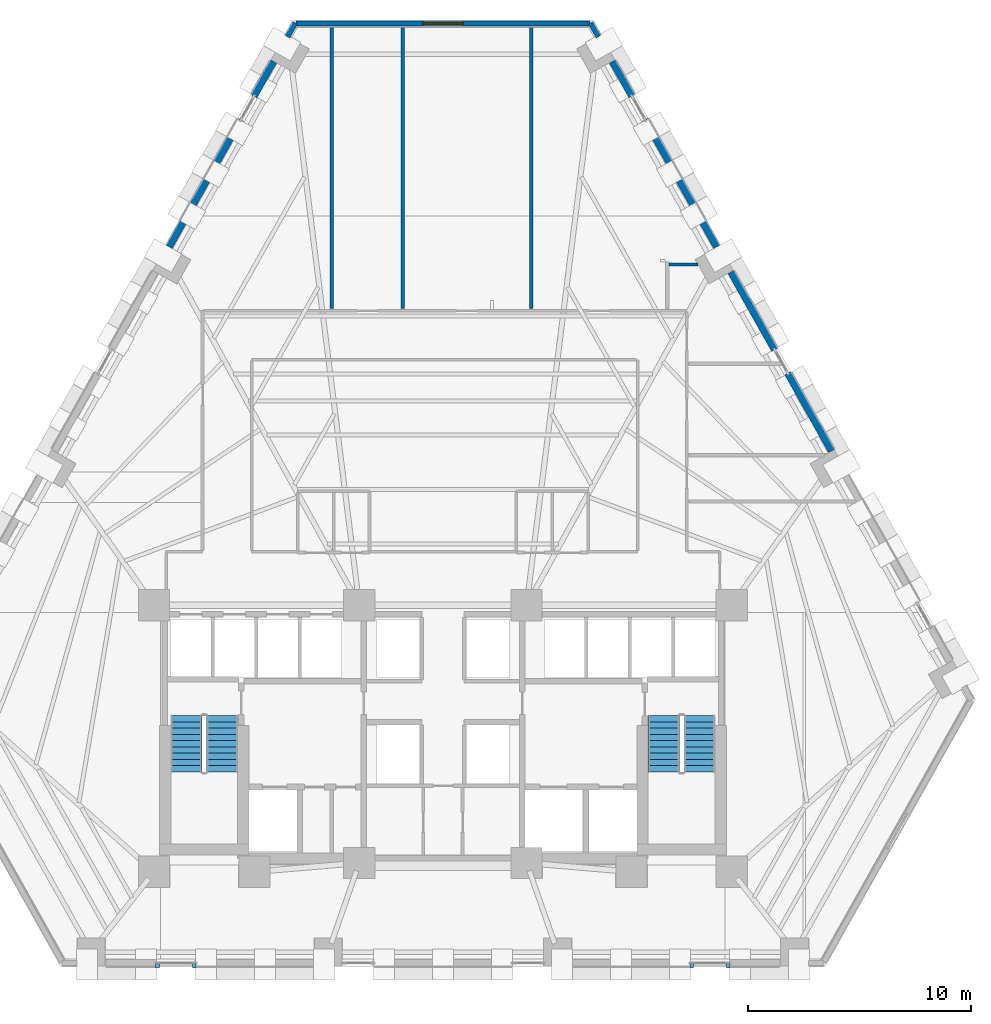
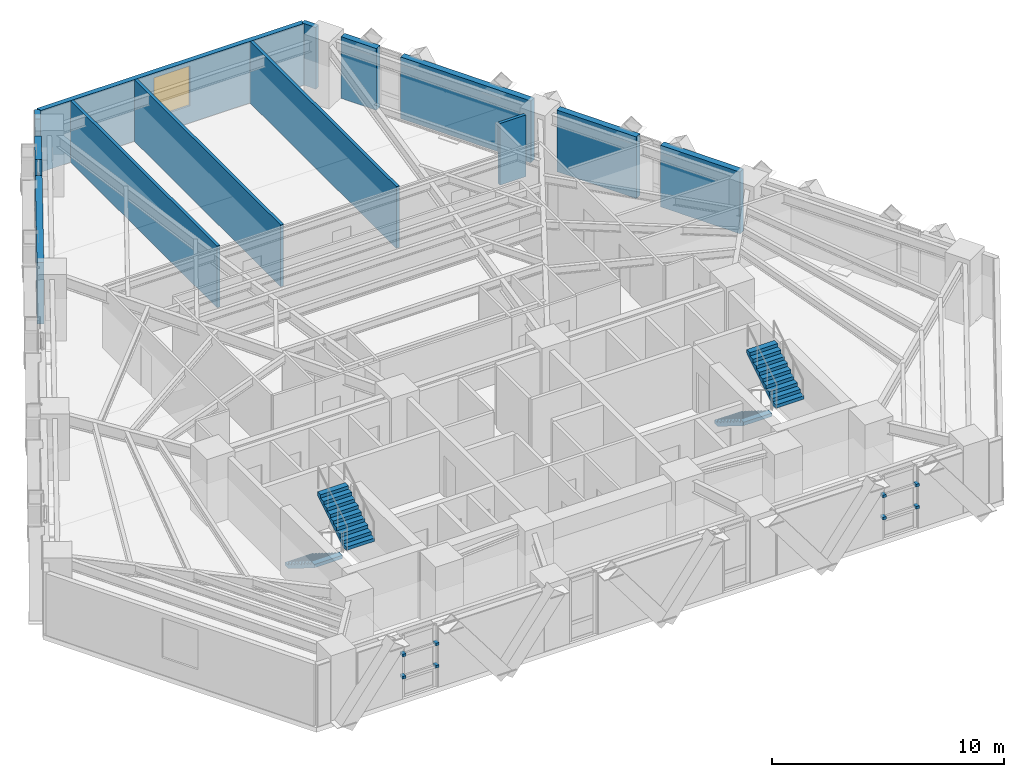
# One storey, part 9 of 13: 13 walls, 8 discrete accessories, 4 stair flights, 1 window, 1 opening, 2 elements without a shape of their own.
"""IFC4 building model written with IfcOpenShell, lengths in metres."""

from ifc_helpers import new_model, si_unit, direction, frame, frame_2d, origin, origin_2d, place, context, subcontext, project, spatial, polyline, rectangle, outline, extrude, material, layer, layer_set, type_object, element, fill, aggregate, save


model = new_model("IFC4")

# Units and contexts
model_context = context("Model", 3, precision=1e-05, world=origin(), true_north=direction((0.0, 1.0)))
body_context = subcontext(model_context, "Body", "Model", "MODEL_VIEW")
ifc_project = project(units=[si_unit("LENGTHUNIT", "METRE"), si_unit("AREAUNIT", "SQUARE_METRE"), si_unit("VOLUMEUNIT", "CUBIC_METRE"), si_unit("PLANEANGLEUNIT", "RADIAN"), si_unit("MASSUNIT", "GRAM", prefix="KILO")], contexts=[model_context])

# Site, building, storey
site_placement = place(None, origin())
site = spatial("IfcSite", under=ifc_project, at=site_placement, CompositionType="ELEMENT")
building_placement = place(site_placement, origin())
building = spatial("IfcBuilding", under=site, at=building_placement, Name="Quenlor Broadcast Tower", CompositionType="ELEMENT")
storey_placement = place(building_placement, frame((0.0, 0.0, 38.10009765625)))
storey = spatial("IfcBuildingStorey", under=building, at=storey_placement, Name="L09", CompositionType="ELEMENT", Elevation=38.10009765625)

# Walls
ifc_material_1 = material(Name="Acoustic Double Stud Gypsum Partition", Category="other")
ifc_layer_1 = layer(ifc_material_1, 0.14990234375)
ifc_layer_set_1 = layer_set([ifc_layer_1], Name="Broadcast Studio Acoustic Partition 150")
wall_type_1 = type_object("IfcWallType", Name="Broadcast Studio Acoustic Partition 150", PredefinedType="PARTITIONING", material=ifc_layer_set_1)
for number, where, z_axis, x_axis, name in (
    (1, (-1.805908203125, 21.14990234375, 0.0), (0.0, 0.0, 1.0), (0.0, -1.0, 0.0), "L09 Interior Wall PW-DV-01"),
    (2, (-4.97998046875, 8.510009765625, 0.0), (0.0, 0.0, 1.0), (0.0, 1.0, 0.0), "L09 Interior Wall PW-DV-02"),
    (3, (3.9599609375, 21.14990234375, 0.0), (0.0, 0.0, 1.0), (0.0, -1.0, 0.0), "L09 Interior Wall PW-DV-03"),
):
    element("IfcWall", number, at=place(storey_placement, frame(where, z_axis=z_axis, x_axis=x_axis)), inside=storey, type_object=wall_type_1, Name=name, PredefinedType="PARTITIONING", context=body_context, shape_type="SweptSolid", body=[
        extrude(rectangle(XDim=12.639892578125, YDim=0.14990234375, at=frame_2d((6.31982421875, 0.0))), origin(), (0.0, 0.0, 1.0), 3.25),
    ])
wall_1_placement = place(storey_placement, frame((11.43212890625, 10.471435546875, 0.0), z_axis=(0.0, 0.0, 1.0), x_axis=(-0.999998862953, 0.001508009595, 0.0)))
element("IfcWall", 4, at=wall_1_placement, inside=storey, type_object=wall_type_1, Name="L09 Interior Wall PW-DV-05", PredefinedType="PARTITIONING", context=body_context, shape_type="SweptSolid", body=[
    extrude(rectangle(XDim=1.295166015625, YDim=0.14990234375, at=frame_2d((0.6474609375, 0.0))), origin(), (0.0, 0.0, 1.0), 3.25),
])
ifc_material_2 = material(Name="Precast concrete C40/50", Category="concrete")
ifc_layer_2 = layer(ifc_material_2, 0.239990234375)
ifc_layer_set_2 = layer_set([ifc_layer_2], Name="Terrace Threshold Precast Concrete C40/50 Wall 240")
wall_type_2 = type_object("IfcWallType", Name="Terrace Threshold Precast Concrete C40/50 Wall 240", PredefinedType="STANDARD", material=ifc_layer_set_2)
for number, where, z_axis, x_axis, name in (
    (5, (6.621826171875, 21.30126953125, 0.0), (0.0, 0.0, 1.0), (0.490261239633, -0.871575537125, 0.0), "L09 Exterior Wall L09-SHD-NES0"),
    (6, (-6.968994140625, 20.68408203125, 0.0), (0.0, 0.0, 1.0), (0.490261239633, 0.871575537125, 0.0), "L09 Exterior Wall L09-SHD-NWS1"),
):
    element("IfcWall", number, at=place(storey_placement, frame(where, z_axis=z_axis, x_axis=x_axis)), inside=storey, type_object=wall_type_2, Name=name, PredefinedType="STANDARD", context=body_context, shape_type="SweptSolid", body=[
        extrude(rectangle(XDim=0.7080078125, YDim=0.239990234375, at=frame_2d((0.35400390625, 0.0))), origin(), (0.0, 0.0, 1.0), 3.25),
    ])

# Wall, opening, window
wall_2_placement = place(storey_placement, frame((6.598388671875, 21.27197265625, 0.0), z_axis=(0.0, 0.0, 1.0), x_axis=(-1.0, 0.0, 0.0)))
wall_2 = element("IfcWall", 7, at=wall_2_placement, inside=storey, type_object=wall_type_2, Name="L09 Exterior Wall L09-CNR-02", PredefinedType="STANDARD", context=body_context, shape_type="SweptSolid", body=[
    extrude(rectangle(XDim=13.186767578125, YDim=0.239990234375, at=frame_2d((6.59326171875, 0.0))), origin(), (0.0, 0.0, 1.0), 3.25),
])
opening_placement = place(wall_2_placement, frame((5.693115234375, 0.0, 0.89990234375)))
opening = element("IfcOpeningElement", 8, at=opening_placement, cuts=wall_2, Name="Opening WN-1", PredefinedType="OPENING", context=body_context, shape_type="SweptSolid", body=[
    extrude(rectangle(XDim=1.800048828125, YDim=2.10009765625, at=frame_2d((0.89990234375, 1.050048828125))), frame((0.0, 0.1298828125, 0.0), z_axis=(0.0, -1.0, 0.0), x_axis=(1.0, 0.0, 0.0)), (0.0, 0.0, 1.0), 0.260009765625),
])
ifc_material_3 = material(Name="Thermally Broken Aluminium and Low-E Glass", Category="aluminium")
window_type = type_object("IfcWindowType", Name="Tower Acoustic Vision Window 1800x2100", PartitioningType="SINGLE_PANEL", PredefinedType="WINDOW", material=ifc_material_3)
window_placement = place(opening_placement, origin())
window = element("IfcWindow", 9, at=window_placement, inside=storey, type_object=window_type, Name="L09 Corner Chamfer Window 2", OverallHeight=2.10009765625, OverallWidth=1.800048828125, PartitioningType="SINGLE_PANEL", PredefinedType="WINDOW", context=body_context, shape_type="SweptSolid", body=[
    extrude(rectangle(XDim=1.800048828125, YDim=2.10009765625, at=frame_2d((0.89990234375, 1.050048828125))), frame((0.0, 0.030029296875, 0.0), z_axis=(0.0, -1.0, 0.0), x_axis=(1.0, 0.0, 0.0)), (0.0, 0.0, 1.0), 0.06005859375),
])
fill(opening, window)

# Walls
ifc_material_4 = material(Name="Precast concrete C40/50", Category="concrete")
ifc_layer_3 = layer(ifc_material_4, 0.300048828125)
ifc_layer_set_3 = layer_set([ifc_layer_3], Name="Terracotta Precast Concrete C40/50 Spandrel Wall 300")
wall_type_3 = type_object("IfcWallType", Name="Terracotta Precast Concrete C40/50 Spandrel Wall 300", PredefinedType="STANDARD", material=ifc_layer_set_3)
wall_3_placement = place(storey_placement, frame((7.5966796875, 19.568603515625, 0.0), z_axis=(0.0, 0.0, 1.0), x_axis=(0.490183206509, -0.871619426158, 0.0)))
element("IfcWall", 10, at=wall_3_placement, inside=storey, type_object=wall_type_3, Name="L09 Exterior Wall L09-NEA-SP1", PredefinedType="STANDARD", context=body_context, shape_type="SweptSolid", body=[
    extrude(rectangle(XDim=1.782470703125, YDim=0.300048828125, at=frame_2d((0.89111328125, 0.0))), origin(), (0.0, 0.0, 1.0), 3.25),
])
wall_4_placement = place(storey_placement, frame((9.0634765625, 16.9609375, 0.0), z_axis=(0.0, 0.0, 1.0), x_axis=(0.490261239633, -0.871575537125, 0.0)))
element("IfcWall", 11, at=wall_4_placement, inside=storey, type_object=wall_type_3, Name="L09 Exterior Wall L09-NEA-SP2", PredefinedType="STANDARD", context=body_context, shape_type="SweptSolid", body=[
    extrude(rectangle(XDim=6.54345703125, YDim=0.300048828125, at=frame_2d((3.271728515625, 0.0))), origin(), (0.0, 0.0, 1.0), 3.25),
])
for number, where, z_axis, x_axis, name in (
    (12, (12.90625, 10.12890625, 0.0), (0.0, 0.0, 1.0), (0.49028736482, -0.871560841191, 0.0), "L09 Exterior Wall L09-NE-SP1"),
    (13, (15.45703125, 5.594482421875, 0.0), (0.0, 0.0, 1.0), (0.49028736482, -0.871560841191, 0.0), "L09 Exterior Wall L09-NE-SP2"),
):
    element("IfcWall", number, at=place(storey_placement, frame(where, z_axis=z_axis, x_axis=x_axis)), inside=storey, type_object=wall_type_3, Name=name, PredefinedType="STANDARD", context=body_context, shape_type="SweptSolid", body=[
        extrude(rectangle(XDim=3.9931640625, YDim=0.300048828125, at=frame_2d((1.99658203125, 0.0))), origin(), (0.0, 0.0, 1.0), 3.25),
    ])
wall_5_placement = place(storey_placement, frame((-12.271484375, 11.2578125, 0.0), z_axis=(0.0, 0.0, 1.0), x_axis=(0.490261239633, 0.871575537125, 0.0)))
element("IfcWall", 14, at=wall_5_placement, inside=storey, type_object=wall_type_3, Name="L09 Exterior Wall L09-NWC-SP1", PredefinedType="STANDARD", context=body_context, shape_type="SweptSolid", body=[
    extrude(rectangle(XDim=6.54345703125, YDim=0.300048828125, at=frame_2d((3.271728515625, 0.0))), origin(), (0.0, 0.0, 1.0), 3.25),
])
wall_6_placement = place(storey_placement, frame((-8.470458984375, 18.014892578125, 0.0), z_axis=(0.0, 0.0, 1.0), x_axis=(0.490183206509, 0.871619426158, 0.0)))
element("IfcWall", 15, at=wall_6_placement, inside=storey, type_object=wall_type_3, Name="L09 Exterior Wall L09-NWC-SP2", PredefinedType="STANDARD", context=body_context, shape_type="SweptSolid", body=[
    extrude(rectangle(XDim=1.782470703125, YDim=0.300048828125, at=frame_2d((0.89111328125, 0.0))), origin(), (0.0, 0.0, 1.0), 3.25),
])

# Stair, stair flights
ifc_material_5 = material(Name="Precast concrete C40/50", Category="concrete")
stair_type = type_object("IfcStairType", Name="Precast Concrete C40/50 Dogleg Stair H350", PredefinedType="HALF_TURN_STAIR", material=ifc_material_5)
stair_1_placement = place(storey_placement, origin())
stair_1 = element("IfcStair", 16, at=stair_1_placement, inside=storey, type_object=stair_type, Name="L09 West Core Fire-Isolated Exit Stair ST-1", PredefinedType="HALF_TURN_STAIR")
ifc_material_6 = material(Name="Precast concrete C40/50", Category="concrete")
ifc_layer_4 = layer(ifc_material_6, 0.159912109375)
ifc_layer_set_4 = layer_set([ifc_layer_4], Name="Precast Concrete C40/50 Stair Flight H350")
stair_flight_type = type_object("IfcStairFlightType", Name="Precast Concrete C40/50 Stair Flight H350", PredefinedType="STRAIGHT", material=ifc_layer_set_4)
stair_flight_1_placement = place(storey_placement, frame((-11.5, -9.75, 0.0), z_axis=(0.0, 0.0, 1.0), x_axis=(0.0, -1.0, 0.0)))
stair_flight_1 = element("IfcStairFlight", 17, at=stair_flight_1_placement, type_object=stair_flight_type, Name="ST-1 flight 1", NumberOfRisers=10, NumberOfTreads=9, PredefinedType="STRAIGHT", RiserHeight=0.175, TreadLength=0.28, context=body_context, shape_type="SweptSolid", body=[
    extrude(outline(polyline([(0.0, 0.0), (0.0, 0.175048828125), (0.280029296875, 0.175048828125), (0.280029296875, 0.35009765625), (0.56005859375, 0.35009765625), (0.56005859375, 0.52490234375), (0.840087890625, 0.52490234375), (0.840087890625, 0.699951171875), (1.1201171875, 0.699951171875), (1.1201171875, 0.875), (1.39990234375, 0.875), (1.39990234375, 1.050048828125), (1.679931640625, 1.050048828125), (1.679931640625, 1.22509765625), (1.9599609375, 1.22509765625), (1.9599609375, 1.39990234375), (2.239990234375, 1.39990234375), (2.239990234375, 1.574951171875), (2.52001953125, 1.574951171875), (2.52001953125, 1.75), (2.52001953125, 1.398193359375), (0.28271484375, 0.0), (0.0, 0.0)])), frame((0.0, 0.699951171875, 0.0), z_axis=(0.0, -1.0, 0.0), x_axis=(1.0, 0.0, 0.0)), (0.0, 0.0, 1.0), 1.39990234375),
])
stair_flight_2_placement = place(storey_placement, frame((-9.89990234375, -12.27001953125, 1.75), z_axis=(0.0, 0.0, 1.0), x_axis=(0.0, 1.0, 0.0)))
stair_flight_2 = element("IfcStairFlight", 18, at=stair_flight_2_placement, type_object=stair_flight_type, Name="ST-1 flight 2", NumberOfRisers=10, NumberOfTreads=9, PredefinedType="STRAIGHT", RiserHeight=0.175, TreadLength=0.28, context=body_context, shape_type="SweptSolid", body=[
    extrude(outline(polyline([(0.0, 0.0), (0.0, 0.175048828125), (0.280029296875, 0.175048828125), (0.280029296875, 0.35009765625), (0.56005859375, 0.35009765625), (0.56005859375, 0.52490234375), (0.840087890625, 0.52490234375), (0.840087890625, 0.699951171875), (1.1201171875, 0.699951171875), (1.1201171875, 0.875), (1.39990234375, 0.875), (1.39990234375, 1.050048828125), (1.679931640625, 1.050048828125), (1.679931640625, 1.22509765625), (1.9599609375, 1.22509765625), (1.9599609375, 1.39990234375), (2.239990234375, 1.39990234375), (2.239990234375, 1.574951171875), (2.52001953125, 1.574951171875), (2.52001953125, 1.75), (2.52001953125, 1.398193359375), (0.28271484375, 0.0), (0.0, 0.0)])), frame((0.0, 0.699951171875, 0.0), z_axis=(0.0, -1.0, 0.0), x_axis=(1.0, 0.0, 0.0)), (0.0, 0.0, 1.0), 1.39990234375),
])
aggregate(stair_1, [stair_flight_1, stair_flight_2])

stair_2_placement = place(storey_placement, origin())
stair_2 = element("IfcStair", 19, at=stair_2_placement, inside=storey, type_object=stair_type, Name="L09 East Core Fire-Isolated Exit Stair ST-2", PredefinedType="HALF_TURN_STAIR")
stair_flight_3_placement = place(storey_placement, frame((9.89990234375, -9.75, 0.0), z_axis=(0.0, 0.0, 1.0), x_axis=(0.0, -1.0, 0.0)))
stair_flight_3 = element("IfcStairFlight", 20, at=stair_flight_3_placement, type_object=stair_flight_type, Name="ST-2 flight 1", NumberOfRisers=10, NumberOfTreads=9, PredefinedType="STRAIGHT", RiserHeight=0.175, TreadLength=0.28, context=body_context, shape_type="SweptSolid", body=[
    extrude(outline(polyline([(0.0, 0.0), (0.0, 0.175048828125), (0.280029296875, 0.175048828125), (0.280029296875, 0.35009765625), (0.56005859375, 0.35009765625), (0.56005859375, 0.52490234375), (0.840087890625, 0.52490234375), (0.840087890625, 0.699951171875), (1.1201171875, 0.699951171875), (1.1201171875, 0.875), (1.39990234375, 0.875), (1.39990234375, 1.050048828125), (1.679931640625, 1.050048828125), (1.679931640625, 1.22509765625), (1.9599609375, 1.22509765625), (1.9599609375, 1.39990234375), (2.239990234375, 1.39990234375), (2.239990234375, 1.574951171875), (2.52001953125, 1.574951171875), (2.52001953125, 1.75), (2.52001953125, 1.398193359375), (0.28271484375, 0.0), (0.0, 0.0)])), frame((0.0, 0.699951171875, 0.0), z_axis=(0.0, -1.0, 0.0), x_axis=(1.0, 0.0, 0.0)), (0.0, 0.0, 1.0), 1.39990234375),
])
stair_flight_4_placement = place(storey_placement, frame((11.5, -12.27001953125, 1.75), z_axis=(0.0, 0.0, 1.0), x_axis=(0.0, 1.0, 0.0)))
stair_flight_4 = element("IfcStairFlight", 21, at=stair_flight_4_placement, type_object=stair_flight_type, Name="ST-2 flight 2", NumberOfRisers=10, NumberOfTreads=9, PredefinedType="STRAIGHT", RiserHeight=0.175, TreadLength=0.28, context=body_context, shape_type="SweptSolid", body=[
    extrude(outline(polyline([(0.0, 0.0), (0.0, 0.175048828125), (0.280029296875, 0.175048828125), (0.280029296875, 0.35009765625), (0.56005859375, 0.35009765625), (0.56005859375, 0.52490234375), (0.840087890625, 0.52490234375), (0.840087890625, 0.699951171875), (1.1201171875, 0.699951171875), (1.1201171875, 0.875), (1.39990234375, 0.875), (1.39990234375, 1.050048828125), (1.679931640625, 1.050048828125), (1.679931640625, 1.22509765625), (1.9599609375, 1.22509765625), (1.9599609375, 1.39990234375), (2.239990234375, 1.39990234375), (2.239990234375, 1.574951171875), (2.52001953125, 1.574951171875), (2.52001953125, 1.75), (2.52001953125, 1.398193359375), (0.28271484375, 0.0), (0.0, 0.0)])), frame((0.0, 0.699951171875, 0.0), z_axis=(0.0, -1.0, 0.0), x_axis=(1.0, 0.0, 0.0)), (0.0, 0.0, 1.0), 1.39990234375),
])
aggregate(stair_2, [stair_flight_3, stair_flight_4])

# Discrete accessories
ifc_material_7 = material(Name="Aluminium 6063-T6", Category="aluminium")
discrete_accessory_type = type_object("IfcDiscreteAccessoryType", Name="Stainless Mullion Baguette Support Bracket", PredefinedType="BRACKET", material=ifc_material_7)
for number, where, z_axis, x_axis, name in (
    (22, (12.794921875, -20.949951171875, 1.10009765625), (0.0, 0.0, 1.0), (-1.0, 0.0, 0.0), "L09 Baguette Mullion Bracket 1.1"),
    (23, (11.146484375, -20.949951171875, 1.10009765625), (0.0, 0.0, 1.0), (-1.0, 0.0, 0.0), "L09 Baguette Mullion Bracket 1.2"),
    (24, (12.794921875, -20.949951171875, 2.27001953125), (0.0, 0.0, 1.0), (-1.0, 0.0, 0.0), "L09 Baguette Mullion Bracket 2.1"),
    (25, (11.146484375, -20.949951171875, 2.27001953125), (0.0, 0.0, 1.0), (-1.0, 0.0, 0.0), "L09 Baguette Mullion Bracket 2.2"),
    (26, (-11.146484375, -20.949951171875, 1.10009765625), (0.0, 0.0, 1.0), (-1.0, 0.0, 0.0), "L09 Baguette Mullion Bracket 1.1"),
    (27, (-12.794921875, -20.949951171875, 1.10009765625), (0.0, 0.0, 1.0), (-1.0, 0.0, 0.0), "L09 Baguette Mullion Bracket 1.2"),
    (28, (-11.146484375, -20.949951171875, 2.27001953125), (0.0, 0.0, 1.0), (-1.0, 0.0, 0.0), "L09 Baguette Mullion Bracket 2.1"),
    (29, (-12.794921875, -20.949951171875, 2.27001953125), (0.0, 0.0, 1.0), (-1.0, 0.0, 0.0), "L09 Baguette Mullion Bracket 2.2"),
):
    element("IfcDiscreteAccessory", number, at=place(storey_placement, frame(where, z_axis=z_axis, x_axis=x_axis)), inside=storey, type_object=discrete_accessory_type, Name=name, PredefinedType="BRACKET", context=body_context, shape_type="SweptSolid", body=[
        extrude(rectangle(XDim=0.159912109375, YDim=0.239990234375, at=origin_2d()), origin(), (0.0, 0.0, 1.0), 0.139892578125),
    ])

save(model, "model.ifc")
